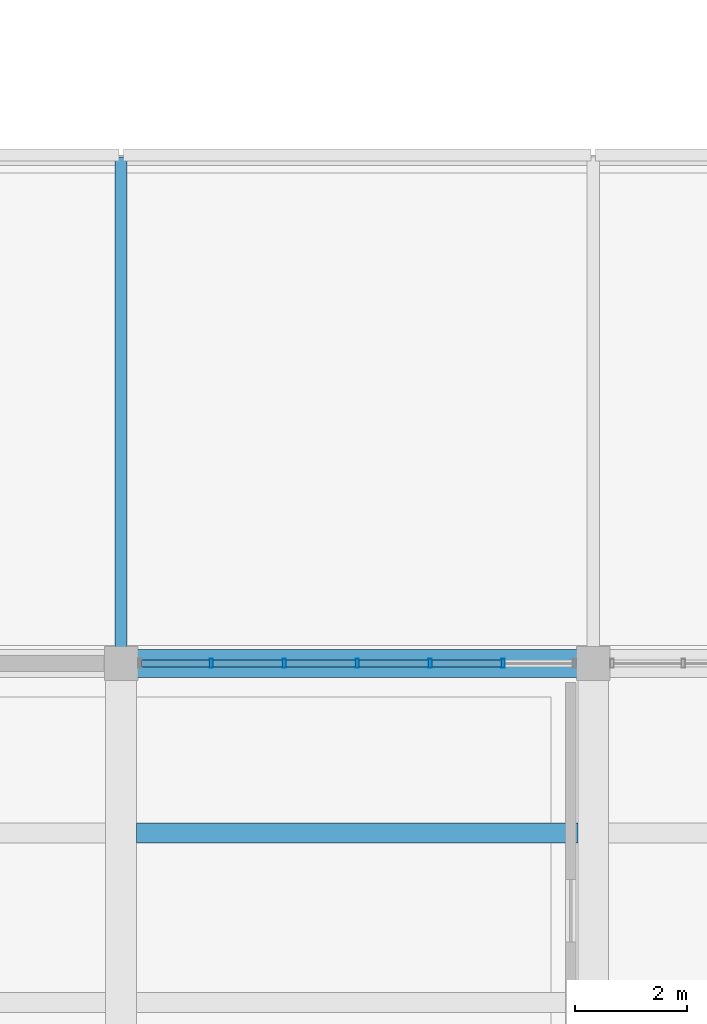
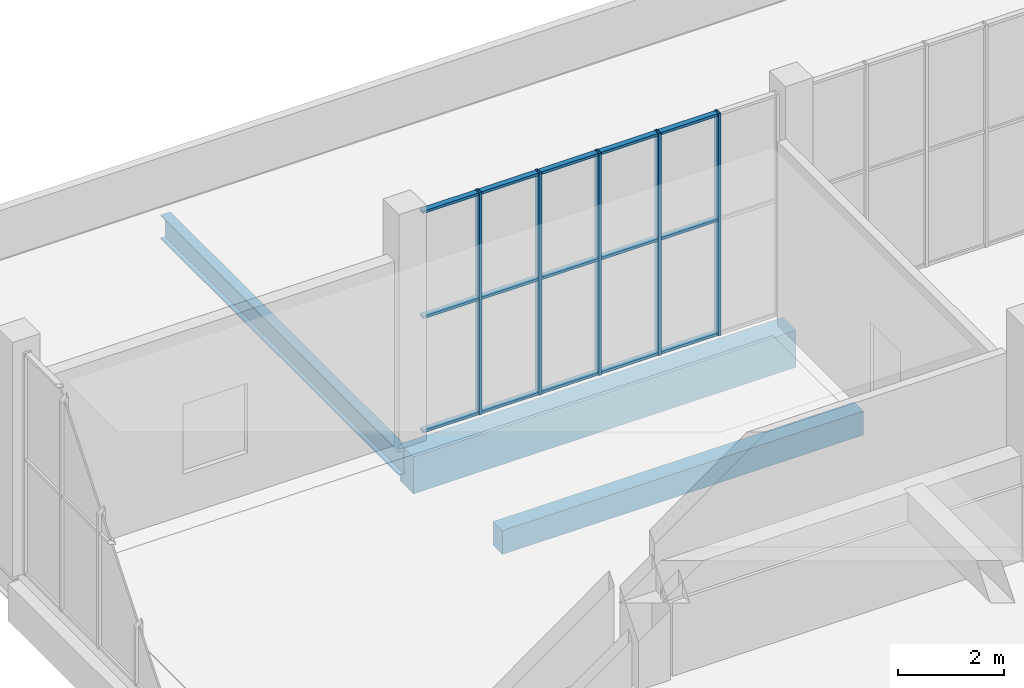
# One storey, part 49 of 132: 20 members, 3 beams, 1 element without a shape of its own.
"""IFC4 building model written with IfcOpenShell, lengths in metres."""

from ifc_helpers import new_model, si_unit, direction, frame, origin, origin_2d, place, context, subcontext, project, spatial, rectangle, hollow_rectangle, i_section, extrude, material, material_profile, profile_set, type_object, element, aggregate, save


model = new_model("IFC4")

# Units and contexts
model_context = context("Model", 3, precision=1e-05, world=origin(), true_north=direction((0.0, 1.0)))
body_context = subcontext(model_context, "Body", "Model", "MODEL_VIEW")
ifc_project = project(units=[si_unit("LENGTHUNIT", "METRE"), si_unit("AREAUNIT", "SQUARE_METRE"), si_unit("VOLUMEUNIT", "CUBIC_METRE"), si_unit("PLANEANGLEUNIT", "RADIAN"), si_unit("MASSUNIT", "GRAM", prefix="KILO")], contexts=[model_context])

# Site, building, storey
site_placement = place(None, origin())
site = spatial("IfcSite", under=ifc_project, at=site_placement, CompositionType="ELEMENT")
building_placement = place(site_placement, origin())
building = spatial("IfcBuilding", under=site, at=building_placement, Name="Khurvash Pelagic Aquarium", CompositionType="ELEMENT")
storey_placement = place(building_placement, frame((0.0, 0.0, 5.39990234375)))
storey = spatial("IfcBuildingStorey", under=building, at=storey_placement, Name="L01", CompositionType="ELEMENT", Elevation=5.39990234375)

# Beam
ifc_material_1 = material(Name="Steel ASTM A992 Grade 50", Category="steel")
ifc_material_profile_1 = material_profile(ifc_material_1, i_section(OverallWidth=0.214111328125, OverallDepth=0.549072265625, WebThickness=0.0146484375, FlangeThickness=0.023681640625, at=origin_2d()), Name="W21X93")
ifc_profile_set_1 = profile_set([ifc_material_profile_1], Name="Steel ASTM A992 Grade 50")
beam_type_1 = type_object("IfcBeamType", Name="BM-11", PredefinedType="BEAM", material=ifc_profile_set_1)
beam_1_placement = place(storey_placement, frame((8.39990234375, 93.139892578125, -0.594482421875), z_axis=(0.0, 1.0, 0.0), x_axis=(-1.0, 0.0, 0.0)))
element("IfcBeam", 1, at=beam_1_placement, inside=storey, type_object=beam_type_1, Name="L01 Roof Girder BM-11 01206", PredefinedType="BEAM", context=body_context, shape_type="SweptSolid", body=[
    extrude(i_section(OverallWidth=0.214111328125, OverallDepth=0.549072265625, WebThickness=0.0146484375, FlangeThickness=0.023681640625, at=origin_2d()), origin(), (0.0, 0.0, 1.0), 8.97021484375),
])

# Curtain wall, members
ifc_material_2 = material(Name="Anodised aluminium and low-E laminated glass", Category="aluminium")
curtain_wall_type = type_object("IfcCurtainWallType", Name="CW-05", PredefinedType="USERDEFINED", material=ifc_material_2)
curtain_wall_placement = place(storey_placement, origin())
curtain_wall = element("IfcCurtainWall", 2, at=curtain_wall_placement, inside=storey, type_object=curtain_wall_type, Name="L01 Facade Unitised Curtain Wall CW-05 0123", ObjectType="UNITISED CURTAIN WALL", PredefinedType="USERDEFINED")
ifc_material_3 = material(Name="Extruded aluminium AW-6063-T6", Category="aluminium")
ifc_material_profile_2 = material_profile(ifc_material_3, hollow_rectangle(XDim=0.06005859375, YDim=0.159912109375, WallThickness=0.00390625, at=origin_2d()), Name="CWM60X160X4")
ifc_profile_set_2 = profile_set([ifc_material_profile_2], Name="Extruded aluminium AW-6063-T6")
member_type_1 = type_object("IfcMemberType", Name="CM-02", PredefinedType="MULLION", material=ifc_profile_set_2)
member_1_placement = place(storey_placement, frame((15.19677734375, 93.10009765625, 0.0), z_axis=(0.0, 0.0, 1.0), x_axis=(-1.0, 0.0, 0.0)))
member_1 = element("IfcMember", 3, at=member_1_placement, type_object=member_type_1, Name="CW-05 mullion 2", PredefinedType="MULLION", context=body_context, shape_type="SweptSolid", body=[
    extrude(hollow_rectangle(XDim=0.06005859375, YDim=0.159912109375, WallThickness=0.00390625, at=origin_2d()), origin(), (0.0, 0.0, 1.0), 5.10009765625),
])
member_2_placement = place(storey_placement, frame((13.8984375, 93.10009765625, 0.0), z_axis=(0.0, 0.0, 1.0), x_axis=(-1.0, 0.0, 0.0)))
member_2 = element("IfcMember", 4, at=member_2_placement, type_object=member_type_1, Name="CW-05 mullion 3", PredefinedType="MULLION", context=body_context, shape_type="SweptSolid", body=[
    extrude(hollow_rectangle(XDim=0.06005859375, YDim=0.159912109375, WallThickness=0.00390625, at=origin_2d()), origin(), (0.0, 0.0, 1.0), 5.10009765625),
])
member_3_placement = place(storey_placement, frame((12.60009765625, 93.10009765625, 0.0), z_axis=(0.0, 0.0, 1.0), x_axis=(-1.0, 0.0, 0.0)))
member_3 = element("IfcMember", 5, at=member_3_placement, type_object=member_type_1, Name="CW-05 mullion 4", PredefinedType="MULLION", context=body_context, shape_type="SweptSolid", body=[
    extrude(hollow_rectangle(XDim=0.06005859375, YDim=0.159912109375, WallThickness=0.00390625, at=origin_2d()), origin(), (0.0, 0.0, 1.0), 5.10009765625),
])
member_4_placement = place(storey_placement, frame((11.3017578125, 93.10009765625, 0.0), z_axis=(0.0, 0.0, 1.0), x_axis=(-1.0, 0.0, 0.0)))
member_4 = element("IfcMember", 6, at=member_4_placement, type_object=member_type_1, Name="CW-05 mullion 5", PredefinedType="MULLION", context=body_context, shape_type="SweptSolid", body=[
    extrude(hollow_rectangle(XDim=0.06005859375, YDim=0.159912109375, WallThickness=0.00390625, at=origin_2d()), origin(), (0.0, 0.0, 1.0), 5.10009765625),
])
member_5_placement = place(storey_placement, frame((10.00341796875, 93.10009765625, 0.0), z_axis=(0.0, 0.0, 1.0), x_axis=(-1.0, 0.0, 0.0)))
member_5 = element("IfcMember", 7, at=member_5_placement, type_object=member_type_1, Name="CW-05 mullion 6", PredefinedType="MULLION", context=body_context, shape_type="SweptSolid", body=[
    extrude(hollow_rectangle(XDim=0.06005859375, YDim=0.159912109375, WallThickness=0.00390625, at=origin_2d()), origin(), (0.0, 0.0, 1.0), 5.10009765625),
])
ifc_material_profile_3 = material_profile(ifc_material_3, hollow_rectangle(XDim=0.1201171875, YDim=0.06005859375, WallThickness=0.00390625, at=origin_2d()), Name="CWT120X60X4")
ifc_profile_set_3 = profile_set([ifc_material_profile_3], Name="Extruded aluminium AW-6063-T6")
member_type_2 = type_object("IfcMemberType", Name="CT-02", PredefinedType="USERDEFINED", material=ifc_profile_set_3)
member_6_placement = place(storey_placement, frame((15.166748046875, 93.10009765625, 0.030029296875), z_axis=(-1.0, 0.0, 0.0), x_axis=(0.0, -1.0, 0.0)))
member_6 = element("IfcMember", 8, at=member_6_placement, type_object=member_type_2, Name="CW-05 transom 2.1", ObjectType="TRANSOM", PredefinedType="USERDEFINED", context=body_context, shape_type="SweptSolid", body=[
    extrude(hollow_rectangle(XDim=0.1201171875, YDim=0.06005859375, WallThickness=0.00390625, at=origin_2d()), origin(), (0.0, 0.0, 1.0), 1.238525390625),
])
member_7_placement = place(storey_placement, frame((15.166748046875, 93.10009765625, 2.652099609375), z_axis=(-1.0, 0.0, 0.0), x_axis=(0.0, -1.0, 0.0)))
member_7 = element("IfcMember", 9, at=member_7_placement, type_object=member_type_2, Name="CW-05 transom 2.2", ObjectType="TRANSOM", PredefinedType="USERDEFINED", context=body_context, shape_type="SweptSolid", body=[
    extrude(hollow_rectangle(XDim=0.1201171875, YDim=0.06005859375, WallThickness=0.00390625, at=origin_2d()), origin(), (0.0, 0.0, 1.0), 1.238525390625),
])
member_8_placement = place(storey_placement, frame((15.166748046875, 93.10009765625, 5.070068359375), z_axis=(-1.0, 0.0, 0.0), x_axis=(0.0, -1.0, 0.0)))
member_8 = element("IfcMember", 10, at=member_8_placement, type_object=member_type_2, Name="CW-05 transom 2.3", ObjectType="TRANSOM", PredefinedType="USERDEFINED", context=body_context, shape_type="SweptSolid", body=[
    extrude(hollow_rectangle(XDim=0.1201171875, YDim=0.06005859375, WallThickness=0.00390625, at=origin_2d()), origin(), (0.0, 0.0, 1.0), 1.238525390625),
])
member_9_placement = place(storey_placement, frame((13.868408203125, 93.10009765625, 0.030029296875), z_axis=(-1.0, 0.0, 0.0), x_axis=(0.0, -1.0, 0.0)))
member_9 = element("IfcMember", 11, at=member_9_placement, type_object=member_type_2, Name="CW-05 transom 3.1", ObjectType="TRANSOM", PredefinedType="USERDEFINED", context=body_context, shape_type="SweptSolid", body=[
    extrude(hollow_rectangle(XDim=0.1201171875, YDim=0.06005859375, WallThickness=0.00390625, at=origin_2d()), origin(), (0.0, 0.0, 1.0), 1.238525390625),
])
member_10_placement = place(storey_placement, frame((13.868408203125, 93.10009765625, 2.652099609375), z_axis=(-1.0, 0.0, 0.0), x_axis=(0.0, -1.0, 0.0)))
member_10 = element("IfcMember", 12, at=member_10_placement, type_object=member_type_2, Name="CW-05 transom 3.2", ObjectType="TRANSOM", PredefinedType="USERDEFINED", context=body_context, shape_type="SweptSolid", body=[
    extrude(hollow_rectangle(XDim=0.1201171875, YDim=0.06005859375, WallThickness=0.00390625, at=origin_2d()), origin(), (0.0, 0.0, 1.0), 1.238525390625),
])
member_11_placement = place(storey_placement, frame((13.868408203125, 93.10009765625, 5.070068359375), z_axis=(-1.0, 0.0, 0.0), x_axis=(0.0, -1.0, 0.0)))
member_11 = element("IfcMember", 13, at=member_11_placement, type_object=member_type_2, Name="CW-05 transom 3.3", ObjectType="TRANSOM", PredefinedType="USERDEFINED", context=body_context, shape_type="SweptSolid", body=[
    extrude(hollow_rectangle(XDim=0.1201171875, YDim=0.06005859375, WallThickness=0.00390625, at=origin_2d()), origin(), (0.0, 0.0, 1.0), 1.238525390625),
])
member_12_placement = place(storey_placement, frame((12.570068359375, 93.10009765625, 0.030029296875), z_axis=(-1.0, 0.0, 0.0), x_axis=(0.0, -1.0, 0.0)))
member_12 = element("IfcMember", 14, at=member_12_placement, type_object=member_type_2, Name="CW-05 transom 4.1", ObjectType="TRANSOM", PredefinedType="USERDEFINED", context=body_context, shape_type="SweptSolid", body=[
    extrude(hollow_rectangle(XDim=0.1201171875, YDim=0.06005859375, WallThickness=0.00390625, at=origin_2d()), origin(), (0.0, 0.0, 1.0), 1.23828125),
])
member_13_placement = place(storey_placement, frame((12.570068359375, 93.10009765625, 2.652099609375), z_axis=(-1.0, 0.0, 0.0), x_axis=(0.0, -1.0, 0.0)))
member_13 = element("IfcMember", 15, at=member_13_placement, type_object=member_type_2, Name="CW-05 transom 4.2", ObjectType="TRANSOM", PredefinedType="USERDEFINED", context=body_context, shape_type="SweptSolid", body=[
    extrude(hollow_rectangle(XDim=0.1201171875, YDim=0.06005859375, WallThickness=0.00390625, at=origin_2d()), origin(), (0.0, 0.0, 1.0), 1.23828125),
])
member_14_placement = place(storey_placement, frame((12.570068359375, 93.10009765625, 5.070068359375), z_axis=(-1.0, 0.0, 0.0), x_axis=(0.0, -1.0, 0.0)))
member_14 = element("IfcMember", 16, at=member_14_placement, type_object=member_type_2, Name="CW-05 transom 4.3", ObjectType="TRANSOM", PredefinedType="USERDEFINED", context=body_context, shape_type="SweptSolid", body=[
    extrude(hollow_rectangle(XDim=0.1201171875, YDim=0.06005859375, WallThickness=0.00390625, at=origin_2d()), origin(), (0.0, 0.0, 1.0), 1.23828125),
])
member_15_placement = place(storey_placement, frame((11.271728515625, 93.10009765625, 0.030029296875), z_axis=(-1.0, 0.0, 0.0), x_axis=(0.0, -1.0, 0.0)))
member_15 = element("IfcMember", 17, at=member_15_placement, type_object=member_type_2, Name="CW-05 transom 5.1", ObjectType="TRANSOM", PredefinedType="USERDEFINED", context=body_context, shape_type="SweptSolid", body=[
    extrude(hollow_rectangle(XDim=0.1201171875, YDim=0.06005859375, WallThickness=0.00390625, at=origin_2d()), origin(), (0.0, 0.0, 1.0), 1.23828125),
])
member_16_placement = place(storey_placement, frame((11.271728515625, 93.10009765625, 2.652099609375), z_axis=(-1.0, 0.0, 0.0), x_axis=(0.0, -1.0, 0.0)))
member_16 = element("IfcMember", 18, at=member_16_placement, type_object=member_type_2, Name="CW-05 transom 5.2", ObjectType="TRANSOM", PredefinedType="USERDEFINED", context=body_context, shape_type="SweptSolid", body=[
    extrude(hollow_rectangle(XDim=0.1201171875, YDim=0.06005859375, WallThickness=0.00390625, at=origin_2d()), origin(), (0.0, 0.0, 1.0), 1.23828125),
])
member_17_placement = place(storey_placement, frame((11.271728515625, 93.10009765625, 5.070068359375), z_axis=(-1.0, 0.0, 0.0), x_axis=(0.0, -1.0, 0.0)))
member_17 = element("IfcMember", 19, at=member_17_placement, type_object=member_type_2, Name="CW-05 transom 5.3", ObjectType="TRANSOM", PredefinedType="USERDEFINED", context=body_context, shape_type="SweptSolid", body=[
    extrude(hollow_rectangle(XDim=0.1201171875, YDim=0.06005859375, WallThickness=0.00390625, at=origin_2d()), origin(), (0.0, 0.0, 1.0), 1.23828125),
])
member_18_placement = place(storey_placement, frame((9.973388671875, 93.10009765625, 0.030029296875), z_axis=(-1.0, 0.0, 0.0), x_axis=(0.0, -1.0, 0.0)))
member_18 = element("IfcMember", 20, at=member_18_placement, type_object=member_type_2, Name="CW-05 transom 6.1", ObjectType="TRANSOM", PredefinedType="USERDEFINED", context=body_context, shape_type="SweptSolid", body=[
    extrude(hollow_rectangle(XDim=0.1201171875, YDim=0.06005859375, WallThickness=0.00390625, at=origin_2d()), origin(), (0.0, 0.0, 1.0), 1.20849609375),
])
member_19_placement = place(storey_placement, frame((9.973388671875, 93.10009765625, 2.652099609375), z_axis=(-1.0, 0.0, 0.0), x_axis=(0.0, -1.0, 0.0)))
member_19 = element("IfcMember", 21, at=member_19_placement, type_object=member_type_2, Name="CW-05 transom 6.2", ObjectType="TRANSOM", PredefinedType="USERDEFINED", context=body_context, shape_type="SweptSolid", body=[
    extrude(hollow_rectangle(XDim=0.1201171875, YDim=0.06005859375, WallThickness=0.00390625, at=origin_2d()), origin(), (0.0, 0.0, 1.0), 1.20849609375),
])
member_20_placement = place(storey_placement, frame((9.973388671875, 93.10009765625, 5.070068359375), z_axis=(-1.0, 0.0, 0.0), x_axis=(0.0, -1.0, 0.0)))
member_20 = element("IfcMember", 22, at=member_20_placement, type_object=member_type_2, Name="CW-05 transom 6.3", ObjectType="TRANSOM", PredefinedType="USERDEFINED", context=body_context, shape_type="SweptSolid", body=[
    extrude(hollow_rectangle(XDim=0.1201171875, YDim=0.06005859375, WallThickness=0.00390625, at=origin_2d()), origin(), (0.0, 0.0, 1.0), 1.20849609375),
])
aggregate(curtain_wall, [member_1, member_2, member_3, member_4, member_5, member_6, member_7, member_8, member_9, member_10, member_11, member_12, member_13, member_14, member_15, member_16, member_17, member_18, member_19, member_20])

# Beams
ifc_material_4 = material(Name="Concrete C35/45", Category="concrete")
ifc_material_profile_4 = material_profile(ifc_material_4, rectangle(XDim=0.35009765625, YDim=0.550048828125, at=origin_2d()), Name="RC350X550")
ifc_profile_set_4 = profile_set([ifc_material_profile_4], Name="Concrete C35/45")
beam_type_2 = type_object("IfcBeamType", Name="JS-01", PredefinedType="JOIST", material=ifc_profile_set_4)
beam_2_placement = place(storey_placement, frame((8.675048828125, 90.0830078125, -0.5849609375), z_axis=(1.0, 0.0, 0.0), x_axis=(0.0, 1.0, 0.0)))
element("IfcBeam", 23, at=beam_2_placement, inside=storey, type_object=beam_type_2, Name="L01 Floor Joist JS-01 00445", PredefinedType="JOIST", context=body_context, shape_type="SweptSolid", body=[
    extrude(rectangle(XDim=0.35009765625, YDim=0.550048828125, at=origin_2d()), origin(), (0.0, 0.0, 1.0), 7.849853515625),
])
ifc_material_5 = material(Name="Concrete C40/50", Category="concrete")
ifc_material_profile_5 = material_profile(ifc_material_5, rectangle(XDim=0.5, YDim=0.85009765625, at=origin_2d()), Name="RC500X850")
ifc_profile_set_5 = profile_set([ifc_material_profile_5], Name="Concrete C40/50")
beam_type_3 = type_object("IfcBeamType", Name="SEB-03", PredefinedType="SPANDREL", material=ifc_profile_set_5)
beam_3_placement = place(storey_placement, frame((8.43994140625, 93.10009765625, -0.744873046875), z_axis=(1.0, 0.0, 0.0), x_axis=(0.0, 1.0, 0.0)))
element("IfcBeam", 24, at=beam_3_placement, inside=storey, type_object=beam_type_3, Name="L01 Primary Girder SEB-03 00324", PredefinedType="SPANDREL", context=body_context, shape_type="SweptSolid", body=[
    extrude(rectangle(XDim=0.5, YDim=0.85009765625, at=origin_2d()), origin(), (0.0, 0.0, 1.0), 8.320068359375),
])

save(model, "model.ifc")
